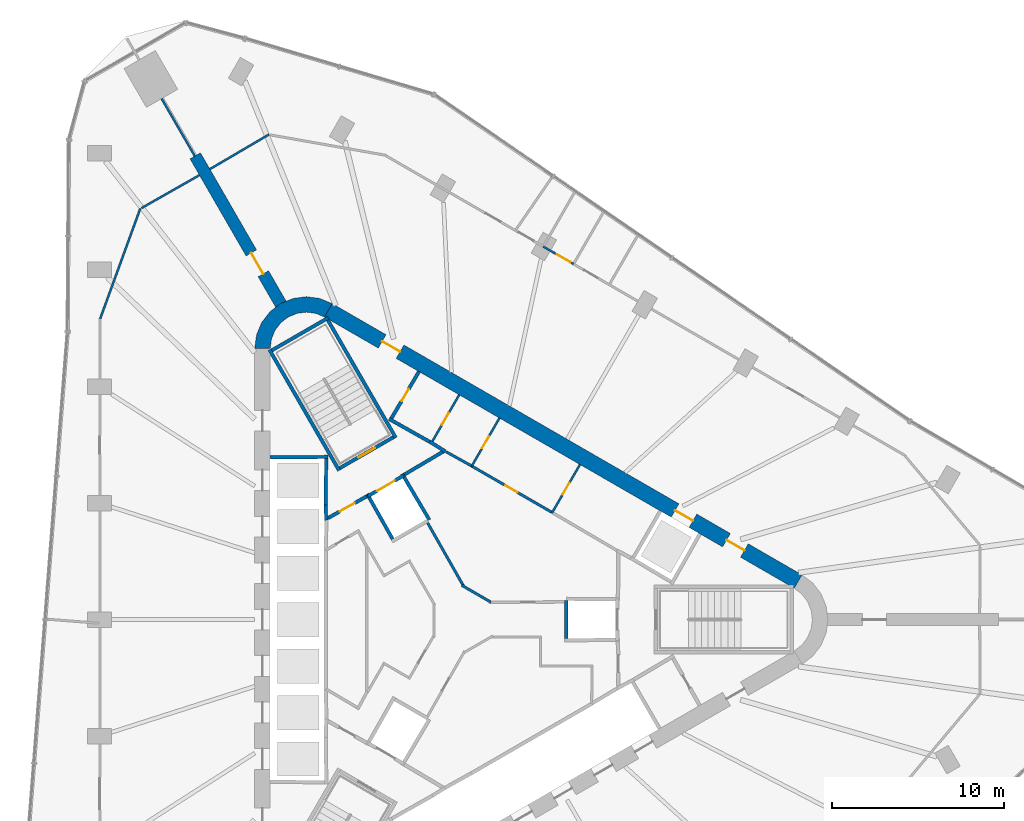
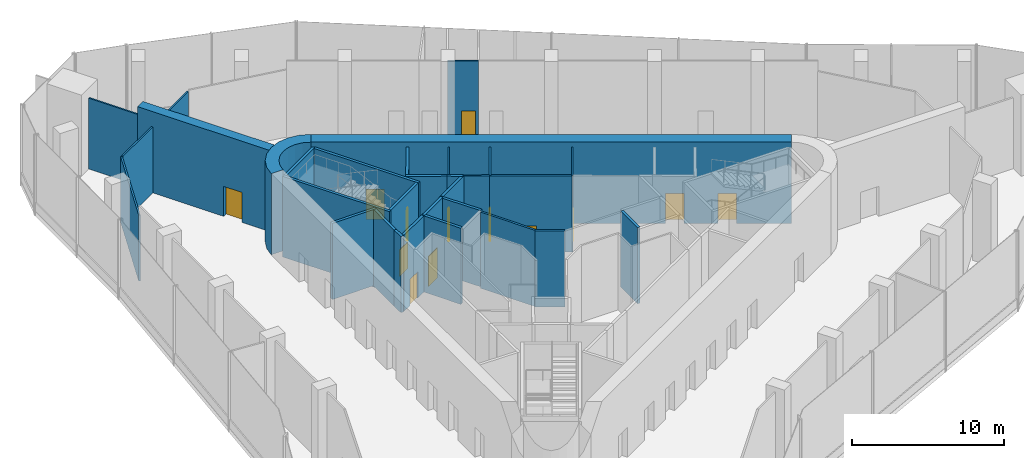
# One storey, part 10 of 15: 31 walls, 13 doors, 13 openings.
"""IFC4 building model written with IfcOpenShell, lengths in metres."""

import ifcopenshell
import ifcopenshell.guid

model = None  # the IFC model being written
_history = None  # IfcOwnerHistory: only IFC2X3 demands one
_inside = {}  # id of a spatial element -> (the spatial element, [elements in it])
_under = {}  # id of a project, library or spatial element -> (it, [spatial elements below it])
_declared = {}  # id of a project -> (the project, [libraries it declares])
_typed = {}  # id of a type object -> (the type object, [elements of that type])
_made_of = {}  # id of a material, layer set ... -> (it, [elements and type objects made of it])


def new_model(schema):
    """Start an empty IFC model of exactly this schema.

    Asked for "IFC4X3", IfcOpenShell would pick the latest addendum, in which some entities
    have other attributes; the version numbers below select the first issue.
    IFC2X3 requires an IfcOwnerHistory on every rooted entity: one is made here for all.
    """
    global model, _history
    if schema == "IFC4X3":
        model = ifcopenshell.file(schema_version=(4, 3, 0, 0))
    else:
        model = ifcopenshell.file(schema=schema)
    _inside.clear()
    _under.clear()
    _declared.clear()
    _typed.clear()
    _made_of.clear()
    _history = None
    if model.schema == "IFC2X3":
        org = make("IfcOrganization", Name="unknown")
        user = make(
            "IfcPersonAndOrganization",
            ThePerson=make("IfcPerson", FamilyName="unknown"),
            TheOrganization=org,
        )
        app = make(
            "IfcApplication",
            ApplicationDeveloper=org,
            Version="unknown",
            ApplicationFullName="unknown",
            ApplicationIdentifier="unknown",
        )
        _history = make(
            "IfcOwnerHistory",
            OwningUser=user,
            OwningApplication=app,
            ChangeAction="ADDED",
            CreationDate=0,
        )
    return model


def make(cls, **values):
    """One entity of the class cls with the attributes given. An attribute that is None is left unset."""
    return model.create_entity(
        cls, **{name: value for name, value in values.items() if value is not None}
    )


def rooted(cls, **values):
    """An entity with a GlobalId (a new one), such as an element, a storey or a relation."""
    return make(cls, GlobalId=ifcopenshell.guid.new(), OwnerHistory=_history, **values)


def si_unit(unit_type, name, prefix=None):
    """IfcSIUnit, for example si_unit("LENGTHUNIT", "METRE", prefix="MILLI")."""
    return make("IfcSIUnit", UnitType=unit_type, Prefix=prefix, Name=name)


def assignment(units):
    """IfcUnitAssignment: the units of a project."""
    return None if units is None else make("IfcUnitAssignment", Units=units)


def point(xyz):
    """IfcCartesianPoint."""
    return None if xyz is None else make("IfcCartesianPoint", Coordinates=xyz)


def direction(xyz):
    """IfcDirection."""
    return None if xyz is None else make("IfcDirection", DirectionRatios=xyz)


def frame(location, z_axis=None, x_axis=None):
    """IfcAxis2Placement3D, a coordinate frame: its origin and axes. An axis left out is left unset."""
    return make(
        "IfcAxis2Placement3D",
        Location=point(location),
        Axis=direction(z_axis),
        RefDirection=direction(x_axis),
    )


def frame_2d(location, x_axis=None):
    """IfcAxis2Placement2D, a coordinate frame in the plane: its origin and x axis."""
    return make(
        "IfcAxis2Placement2D", Location=point(location), RefDirection=direction(x_axis)
    )


def origin():
    """The frame at (0, 0, 0) with its axes left unset."""
    return frame((0.0, 0.0, 0.0))


def place(relative_to, where):
    """IfcLocalPlacement: puts the frame where relative to a parent placement (None: the world)."""
    return make(
        "IfcLocalPlacement", PlacementRelTo=relative_to, RelativePlacement=where
    )


def context(
    kind, dimensions, precision=None, world=None, true_north=None, identifier=None
):
    """IfcGeometricRepresentationContext, for example the 3D "Model" context."""
    return make(
        "IfcGeometricRepresentationContext",
        ContextIdentifier=identifier,
        ContextType=kind,
        CoordinateSpaceDimension=dimensions,
        Precision=precision,
        WorldCoordinateSystem=world,
        TrueNorth=true_north,
    )


def subcontext(parent, identifier, kind, view, scale=None):
    """IfcGeometricRepresentationSubContext, for example "Body" below "Model"."""
    return make(
        "IfcGeometricRepresentationSubContext",
        ContextIdentifier=identifier,
        ContextType=kind,
        ParentContext=parent,
        TargetScale=scale,
        TargetView=view,
    )


def project(units=None, contexts=None):
    """IfcProject with its units and contexts."""
    return rooted(
        "IfcProject",
        Name="project",
        RepresentationContexts=contexts,
        UnitsInContext=assignment(units),
    )


def spatial(cls, under=None, at=None, **own):
    """A site, building, storey or space (cls), placed at a placement, below another one or the project."""
    s = rooted(cls, ObjectPlacement=at, **own)
    if under is not None:
        _under.setdefault(under.id(), (under, []))[1].append(s)
    return s


def polyline(points):
    """IfcPolyline through the points."""
    return make("IfcPolyline", Points=[point(p) for p in points])


def profile(cls, at=None, kind="AREA", **sizes):
    """A parametric profile (cls). Its sizes go by their IFC names, for example OverallWidth=200.0."""
    return make(cls, ProfileType=kind, Position=at, **sizes)


def rectangle(**sizes):
    """IfcRectangleProfileDef."""
    return profile("IfcRectangleProfileDef", **sizes)


def outline(outer, holes=None, kind="AREA"):
    """IfcArbitraryClosedProfileDef: a profile drawn as a closed curve; with holes, ...WithVoids."""
    if holes is None:
        return make("IfcArbitraryClosedProfileDef", ProfileType=kind, OuterCurve=outer)
    return make(
        "IfcArbitraryProfileDefWithVoids",
        ProfileType=kind,
        OuterCurve=outer,
        InnerCurves=holes,
    )


def extrude(swept, where, along, depth):
    """IfcExtrudedAreaSolid: the profile swept, set in the frame where, extruded along a direction by depth."""
    return make(
        "IfcExtrudedAreaSolid",
        SweptArea=swept,
        Position=where,
        ExtrudedDirection=direction(along),
        Depth=depth,
    )


def shape(context_of_items, identifier, shape_type, items):
    """IfcShapeRepresentation: the items that make up one representation, for example the "Body"."""
    return make(
        "IfcShapeRepresentation",
        ContextOfItems=context_of_items,
        RepresentationIdentifier=identifier,
        RepresentationType=shape_type,
        Items=items,
    )


def material(Name=None, Category=None):
    """IfcMaterial."""
    return make("IfcMaterial", Name=Name, Category=Category)


def layer(
    of_material, thickness, ventilated=None, Name=None, Category=None, Priority=None
):
    """IfcMaterialLayer: one layer of a wall or slab, of a material (None: an air gap)."""
    return make(
        "IfcMaterialLayer",
        Material=of_material,
        LayerThickness=thickness,
        IsVentilated=ventilated,
        Name=Name,
        Category=Category,
        Priority=Priority,
    )


def layer_set(layers, Name=None):
    """IfcMaterialLayerSet."""
    return make("IfcMaterialLayerSet", MaterialLayers=layers, LayerSetName=Name)


def made_of(thing, what):
    """Note that an element or type object is made of a material, layer set ...; save() writes the relation."""
    if what is not None:
        _made_of.setdefault(what.id(), (what, []))[1].append(thing)
    return thing


def type_object(cls, material=None, **own):
    """A type object (cls), such as IfcWallType, which elements share."""
    return made_of(rooted(cls, **own), material)


def element(
    cls,
    number,
    at=None,
    inside=None,
    cuts=None,
    type_object=None,
    material=None,
    context=None,
    identifier="Body",
    shape_type=None,
    held_by="IfcProductDefinitionShape",
    body=None,
    shapes=None,
    **own,
):
    """One element of the class cls, such as IfcWall. Its Tag is "e" and its number.

    at: its placement. inside: the storey or other place that contains it. cuts: it is an
    opening in that element (IfcRelVoidsElement). A single representation is given by context,
    identifier, shape_type and body (its items); several are given by shapes. held_by: the class
    of the entity that holds the representations. save() writes the other relations.
    """
    e = rooted(cls, Tag="e%d" % number, ObjectPlacement=at, **own)
    if body is not None:
        shapes = [shape(context, identifier, shape_type, body)]
    if shapes is not None:
        e.Representation = make(held_by, Representations=shapes)
    if inside is not None:
        _inside.setdefault(inside.id(), (inside, []))[1].append(e)
    if cuts is not None:
        rooted(
            "IfcRelVoidsElement", RelatingBuildingElement=cuts, RelatedOpeningElement=e
        )
    if type_object is not None:
        _typed.setdefault(type_object.id(), (type_object, []))[1].append(e)
    return made_of(e, material)


def fill(opening, filler):
    """IfcRelFillsElement: the door or window that sits in an opening."""
    return rooted(
        "IfcRelFillsElement",
        RelatingOpeningElement=opening,
        RelatedBuildingElement=filler,
    )


def aggregate(whole, parts):
    """IfcRelAggregates: a whole, such as a stair, and the parts it consists of."""
    return rooted("IfcRelAggregates", RelatingObject=whole, RelatedObjects=parts)


def save(model, path):
    """Write the relations noted so far, then the file.

    IfcRelAggregates (storeys below a building ...), IfcRelContainedInSpatialStructure (elements
    in a storey), IfcRelDefinesByType, IfcRelAssociatesMaterial and IfcRelDeclares: one each for
    every whole, place, type object, material and project.
    """
    for whole, parts in _under.values():
        aggregate(whole, parts)
    for where, things in _inside.values():
        rooted(
            "IfcRelContainedInSpatialStructure",
            RelatedElements=things,
            RelatingStructure=where,
        )
    for kind, things in _typed.values():
        rooted("IfcRelDefinesByType", RelatedObjects=things, RelatingType=kind)
    for what, things in _made_of.values():
        rooted("IfcRelAssociatesMaterial", RelatedObjects=things, RelatingMaterial=what)
    for by, libraries in _declared.values():
        rooted("IfcRelDeclares", RelatingContext=by, RelatedDefinitions=libraries)
    model.write(path)


model = new_model("IFC4")

# Units and contexts
model_context = context("Model", 3, precision=1e-05, world=origin(), true_north=direction((0.0, 1.0)))
body_context = subcontext(model_context, "Body", "Model", "MODEL_VIEW")
ifc_project = project(units=[si_unit("LENGTHUNIT", "METRE"), si_unit("AREAUNIT", "SQUARE_METRE"), si_unit("VOLUMEUNIT", "CUBIC_METRE"), si_unit("PLANEANGLEUNIT", "RADIAN"), si_unit("MASSUNIT", "GRAM", prefix="KILO")], contexts=[model_context])

# Site, building, storey
site_placement = place(None, origin())
site = spatial("IfcSite", under=ifc_project, at=site_placement, CompositionType="ELEMENT")
building_placement = place(site_placement, origin())
building = spatial("IfcBuilding", under=site, at=building_placement, Name="Tanit Gate Tower", CompositionType="ELEMENT")
storey_placement = place(building_placement, frame((0.0, 0.0, 277.199951171875)))
storey = spatial("IfcBuildingStorey", under=building, at=storey_placement, Name="L63", CompositionType="ELEMENT", Elevation=277.199951171875)

# Wall, opening, door
ifc_material_1 = material(Name="Concrete C50/60", Category="concrete")
ifc_layer_1 = layer(ifc_material_1, 0.699951171875)
ifc_layer_set_1 = layer_set([ifc_layer_1], Name="BUTTRESS FIN 700 C50/60")
wall_type_1 = type_object("IfcWallType", Name="BUTTRESS FIN 700 C50/60", PredefinedType="SHEAR", material=ifc_layer_set_1)
wall_1_placement = place(storey_placement, frame((-10.574951171875, 18.31640625, 0.0), z_axis=(0.0, 0.0, 1.0), x_axis=(-0.500007350791, 0.866021159762, 0.0)))
wall_1 = element("IfcWall", 1, at=wall_1_placement, inside=storey, type_object=wall_type_1, Name="BUTTRESS FIN", PredefinedType="SHEAR", context=body_context, shape_type="SweptSolid", body=[
    extrude(rectangle(XDim=9.964599609375, YDim=0.699951171875, at=frame_2d((4.982421875, 0.0))), origin(), (0.0, 0.0, 1.0), 6.5),
])
opening_1_placement = place(wall_1_placement, frame((2.050048828125, 0.0, 0.0)))
opening_1 = element("IfcOpeningElement", 2, at=opening_1_placement, cuts=wall_1, Name="Opening P14-63-F-NW-1", PredefinedType="OPENING", context=body_context, shape_type="SweptSolid", body=[
    extrude(rectangle(XDim=1.39990234375, YDim=2.39990234375, at=frame_2d((0.699951171875, 1.199951171875))), frame((0.0, 0.35986328125, 0.0), z_axis=(0.0, -1.0, 0.0), x_axis=(1.0, 0.0, 0.0)), (0.0, 0.0, 1.0), 0.719970703125),
])
ifc_material_2 = material(Name="Timber door leaf", Category="wood")
door_type_1 = type_object("IfcDoorType", Name="INT-DOOR-FIN-PAIR-1400", OperationType="NOTDEFINED", PredefinedType="NOTDEFINED", material=ifc_material_2)
door_1_placement = place(opening_1_placement, origin())
door_1 = element("IfcDoor", 3, at=door_1_placement, inside=storey, type_object=door_type_1, Name="Door P14-63-F-NW-1", OperationType="DOUBLE_DOOR_SINGLE_SWING", OverallHeight=2.39990234375, OverallWidth=1.39990234375, PredefinedType="NOTDEFINED", context=body_context, shape_type="SweptSolid", body=[
    extrude(rectangle(XDim=1.39990234375, YDim=2.39990234375, at=frame_2d((0.699951171875, 1.199951171875))), frame((0.0, 0.02490234375, 0.0), z_axis=(0.0, -1.0, 0.0), x_axis=(1.0, 0.0, 0.0)), (0.0, 0.0, 1.0), 0.050048828125),
])
fill(opening_1, door_1)

# Wall, openings, doors
ifc_material_3 = material(Name="Concrete C50/60", Category="concrete")
ifc_layer_2 = layer(ifc_material_3, 0.89990234375)
ifc_layer_set_2 = layer_set([ifc_layer_2], Name="CORE WALL 900 C50/60")
wall_type_2 = type_object("IfcWallType", Name="CORE WALL 900 C50/60", PredefinedType="SHEAR", material=ifc_layer_set_2)
wall_2_placement = place(storey_placement, frame((19.47509765625, 2.20849609375, 0.0), z_axis=(0.0, 0.0, 1.0), x_axis=(-0.866028369851, 0.499994862586, 0.0)))
wall_2 = element("IfcWall", 4, at=wall_2_placement, inside=storey, type_object=wall_type_2, Name="CORE WALL", PredefinedType="SHEAR", context=body_context, shape_type="SweptSolid", body=[
    extrude(rectangle(XDim=31.523193359375, YDim=0.89990234375, at=frame_2d((15.76171875, 0.0))), origin(), (0.0, 0.0, 1.0), 6.5),
])
opening_2_placement = place(wall_2_placement, frame((7.0615234375, 0.0, 0.0)))
opening_2 = element("IfcOpeningElement", 5, at=opening_2_placement, cuts=wall_2, Name="Opening LDHL8-63", PredefinedType="OPENING", context=body_context, shape_type="SweptSolid", body=[
    extrude(rectangle(XDim=1.199951171875, YDim=2.39990234375, at=frame_2d((0.60009765625, 1.199951171875))), frame((0.0, 0.4599609375, 0.0), z_axis=(0.0, -1.0, 0.0), x_axis=(1.0, 0.0, 0.0)), (0.0, 0.0, 1.0), 0.919921875),
])
opening_3_placement = place(wall_2_placement, frame((3.611572265625, 0.0, 0.0)))
opening_3 = element("IfcOpeningElement", 6, at=opening_3_placement, cuts=wall_2, Name="Opening F12-63-FL1", PredefinedType="OPENING", context=body_context, shape_type="SweptSolid", body=[
    extrude(rectangle(XDim=1.199951171875, YDim=2.39990234375, at=frame_2d((0.60009765625, 1.199951171875))), frame((0.0, 0.4599609375, 0.0), z_axis=(0.0, -1.0, 0.0), x_axis=(1.0, 0.0, 0.0)), (0.0, 0.0, 1.0), 0.919921875),
])
opening_4_placement = place(wall_2_placement, frame((26.711669921875, 0.0, 0.0)))
opening_4 = element("IfcOpeningElement", 7, at=opening_4_placement, cuts=wall_2, Name="Opening F12-63-S2", PredefinedType="OPENING", context=body_context, shape_type="SweptSolid", body=[
    extrude(rectangle(XDim=1.199951171875, YDim=2.39990234375, at=frame_2d((0.60009765625, 1.199951171875))), frame((0.0, 0.4599609375, 0.0), z_axis=(0.0, -1.0, 0.0), x_axis=(1.0, 0.0, 0.0)), (0.0, 0.0, 1.0), 0.919921875),
])
ifc_material_4 = material(Name="Fire-rated steel door leaf", Category="steel")
door_type_2 = type_object("IfcDoorType", Name="INT-DOOR-FIRE-LOBBY-1200", OperationType="NOTDEFINED", PredefinedType="USERDEFINED", material=ifc_material_4)
door_2_placement = place(opening_3_placement, origin())
door_2 = element("IfcDoor", 8, at=door_2_placement, inside=storey, type_object=door_type_2, Name="Door F12-63-FL1", ObjectType="FIRE DOOR", OperationType="SINGLE_SWING_LEFT", OverallHeight=2.39990234375, OverallWidth=1.199951171875, PredefinedType="USERDEFINED", context=body_context, shape_type="SweptSolid", body=[
    extrude(rectangle(XDim=1.199951171875, YDim=2.39990234375, at=frame_2d((0.60009765625, 1.199951171875))), frame((0.0, 0.02490234375, 0.0), z_axis=(0.0, -1.0, 0.0), x_axis=(1.0, 0.0, 0.0)), (0.0, 0.0, 1.0), 0.050048828125),
])
fill(opening_3, door_2)
door_3_placement = place(opening_4_placement, origin())
door_3 = element("IfcDoor", 9, at=door_3_placement, inside=storey, type_object=door_type_2, Name="Door F12-63-S2", ObjectType="FIRE DOOR", OperationType="SINGLE_SWING_RIGHT", OverallHeight=2.39990234375, OverallWidth=1.199951171875, PredefinedType="USERDEFINED", context=body_context, shape_type="SweptSolid", body=[
    extrude(rectangle(XDim=1.199951171875, YDim=2.39990234375, at=frame_2d((0.60009765625, 1.199951171875))), frame((0.0, 0.02490234375, 0.0), z_axis=(0.0, -1.0, 0.0), x_axis=(1.0, 0.0, 0.0)), (0.0, 0.0, 1.0), 0.050048828125),
])
fill(opening_4, door_3)
ifc_material_5 = material(Name="Stainless steel sliding door leaf", Category="steel")
door_type_3 = type_object("IfcDoorType", Name="INT-DOOR-LANDING-1200", OperationType="NOTDEFINED", PredefinedType="USERDEFINED", material=ifc_material_5)
door_4_placement = place(opening_2_placement, origin())
door_4 = element("IfcDoor", 10, at=door_4_placement, inside=storey, type_object=door_type_3, Name="Door LDHL8-63", ObjectType="LANDING DOOR", OperationType="SLIDING_TO_LEFT", OverallHeight=2.39990234375, OverallWidth=1.199951171875, PredefinedType="USERDEFINED", context=body_context, shape_type="SweptSolid", body=[
    extrude(rectangle(XDim=1.199951171875, YDim=2.39990234375, at=frame_2d((0.60009765625, 1.199951171875))), frame((0.0, 0.02490234375, 0.0), z_axis=(0.0, -1.0, 0.0), x_axis=(1.0, 0.0, 0.0)), (0.0, 0.0, 1.0), 0.050048828125),
])
fill(opening_2, door_4)

# Walls
wall_3_placement = place(storey_placement, origin())
element("IfcWall", 11, at=wall_3_placement, inside=storey, type_object=wall_type_2, Name="CORE WALL CORNER", PredefinedType="SHEAR", context=body_context, shape_type="SweptSolid", body=[
    extrude(outline(polyline([(-7.60009765625, 18.359619140625), (-8.323486328125, 18.659423828125), (-9.10009765625, 18.76171875), (-9.87646484375, 18.659423828125), (-10.60009765625, 18.359619140625), (-11.22119140625, 17.883056640625), (-11.697998046875, 17.26171875), (-11.997802734375, 16.5380859375), (-12.10009765625, 15.76171875), (-11.199951171875, 15.76171875), (-11.12841796875, 16.30517578125), (-10.918701171875, 16.811767578125), (-10.5849609375, 17.24658203125), (-10.14990234375, 17.580322265625), (-9.6435546875, 17.7900390625), (-9.10009765625, 17.86181640625), (-8.556396484375, 17.7900390625), (-8.050048828125, 17.580322265625), (-7.60009765625, 18.359619140625)])), origin(), (0.0, 0.0, 1.0), 6.5),
])
ifc_material_6 = material(Name="Fire-rated gypsum board partition")
ifc_layer_3 = layer(ifc_material_6, 0.199951171875)
ifc_layer_set_3 = layer_set([ifc_layer_3], Name="INT-WALL-COMPARTMENT")
wall_type_3 = type_object("IfcWallType", Name="INT-WALL-COMPARTMENT", PredefinedType="PARTITIONING", material=ifc_layer_set_3)
wall_4_placement = place(storey_placement, frame((-1.940673828125, 10.338623046875, 0.0), z_axis=(0.0, 0.0, 1.0), x_axis=(0.850216889117, -0.526432561171, 0.0)))
element("IfcWall", 12, at=wall_4_placement, inside=storey, type_object=wall_type_3, Name="Wall Compartment W055", PredefinedType="PARTITIONING", context=body_context, shape_type="SweptSolid", body=[
    extrude(rectangle(XDim=1.078369140625, YDim=0.199951171875, at=frame_2d((0.5390625, 0.0))), origin(), (0.0, 0.0, 1.0), 6.10009765625),
])
wall_5_placement = place(storey_placement, frame((-4.296142578125, 11.658935546875, 0.0), z_axis=(0.0, 0.0, 1.0), x_axis=(0.871534483978, -0.490334215854, 0.0)))
element("IfcWall", 13, at=wall_5_placement, inside=storey, type_object=wall_type_3, Name="Wall Compartment W057", PredefinedType="PARTITIONING", context=body_context, shape_type="SweptSolid", body=[
    extrude(rectangle(XDim=2.7001953125, YDim=0.199951171875, at=frame_2d((1.35009765625, 0.0))), origin(), (0.0, 0.0, 1.0), 6.10009765625),
])

# Wall, opening, door
wall_6_placement = place(storey_placement, frame((-2.557861328125, 14.409423828125, 0.0), z_axis=(0.0, 0.0, 1.0), x_axis=(-0.508018930956, -0.861345903683, 0.0)))
wall_6 = element("IfcWall", 14, at=wall_6_placement, inside=storey, type_object=wall_type_3, Name="Wall Compartment W058", PredefinedType="PARTITIONING", context=body_context, shape_type="SweptSolid", body=[
    extrude(rectangle(XDim=3.150146484375, YDim=0.199951171875, at=frame_2d((1.5751953125, 0.0))), origin(), (0.0, 0.0, 1.0), 6.10009765625),
])
opening_5_placement = place(wall_6_placement, frame((1.175048828125, 0.0, 0.0)))
opening_5 = element("IfcOpeningElement", 15, at=opening_5_placement, cuts=wall_6, Name="Opening R08-63-16", PredefinedType="OPENING", context=body_context, shape_type="SweptSolid", body=[
    extrude(rectangle(XDim=0.800048828125, YDim=2.10009765625, at=frame_2d((0.39990234375, 1.050048828125))), frame((0.0, 0.10986328125, 0.0), z_axis=(0.0, -1.0, 0.0), x_axis=(1.0, 0.0, 0.0)), (0.0, 0.0, 1.0), 0.219970703125),
])
ifc_material_7 = material(Name="Timber door leaf", Category="wood")
door_type_4 = type_object("IfcDoorType", Name="INT-DOOR-RISER-800", OperationType="NOTDEFINED", PredefinedType="USERDEFINED", material=ifc_material_7)
door_5_placement = place(opening_5_placement, origin())
door_5 = element("IfcDoor", 16, at=door_5_placement, inside=storey, type_object=door_type_4, Name="Door R08-63-16", ObjectType="FIRE DOOR", OperationType="SINGLE_SWING_LEFT", OverallHeight=2.10009765625, OverallWidth=0.800048828125, PredefinedType="USERDEFINED", context=body_context, shape_type="SweptSolid", body=[
    extrude(rectangle(XDim=0.800048828125, YDim=2.10009765625, at=frame_2d((0.39990234375, 1.050048828125))), frame((0.0, 0.02490234375, 0.0), z_axis=(0.0, -1.0, 0.0), x_axis=(1.0, 0.0, 0.0)), (0.0, 0.0, 1.0), 0.050048828125),
])
fill(opening_5, door_5)

# Wall
wall_7_placement = place(storey_placement, frame((-1.0556640625, 9.81787109375, 0.0), z_axis=(0.0, 0.0, 1.0), x_axis=(-0.860599924646, -0.509281621207, 0.0)))
element("IfcWall", 17, at=wall_7_placement, inside=storey, type_object=wall_type_3, Name="Wall Compartment W063", PredefinedType="PARTITIONING", context=body_context, shape_type="SweptSolid", body=[
    extrude(rectangle(XDim=2.724853515625, YDim=0.199951171875, at=frame_2d((1.3623046875, 0.0))), origin(), (0.0, 0.0, 1.0), 6.10009765625),
])

# Wall, opening, door
wall_8_placement = place(storey_placement, frame((-5.600341796875, 7.16015625, 0.0), z_axis=(0.0, 0.0, 1.0), x_axis=(-0.871363259478, -0.490638431059, 0.0)))
wall_8 = element("IfcWall", 18, at=wall_8_placement, inside=storey, type_object=wall_type_3, Name="Wall Compartment W064", PredefinedType="PARTITIONING", context=body_context, shape_type="SweptSolid", body=[
    extrude(rectangle(XDim=2.5810546875, YDim=0.199951171875, at=frame_2d((1.29052734375, 0.0))), origin(), (0.0, 0.0, 1.0), 6.10009765625),
])
opening_6_placement = place(wall_8_placement, frame((0.79052734375, 0.0, 0.0)))
opening_6 = element("IfcOpeningElement", 19, at=opening_6_placement, cuts=wall_8, Name="Opening F10-63-05", PredefinedType="OPENING", context=body_context, shape_type="SweptSolid", body=[
    extrude(rectangle(XDim=1.0, YDim=2.10009765625, at=frame_2d((0.5, 1.050048828125))), frame((0.0, 0.10986328125, 0.0), z_axis=(0.0, -1.0, 0.0), x_axis=(1.0, 0.0, 0.0)), (0.0, 0.0, 1.0), 0.219970703125),
])
ifc_material_8 = material(Name="Fire-rated steel door leaf", Category="steel")
door_type_5 = type_object("IfcDoorType", Name="INT-DOOR-FIRE-1000", OperationType="NOTDEFINED", PredefinedType="USERDEFINED", material=ifc_material_8)
door_6_placement = place(opening_6_placement, origin())
door_6 = element("IfcDoor", 20, at=door_6_placement, inside=storey, type_object=door_type_5, Name="Door F10-63-05", ObjectType="FIRE DOOR", OperationType="SINGLE_SWING_LEFT", OverallHeight=2.10009765625, OverallWidth=1.0, PredefinedType="USERDEFINED", context=body_context, shape_type="SweptSolid", body=[
    extrude(rectangle(XDim=1.0, YDim=2.10009765625, at=frame_2d((0.5, 1.050048828125))), frame((0.0, 0.02490234375, 0.0), z_axis=(0.0, -1.0, 0.0), x_axis=(1.0, 0.0, 0.0)), (0.0, 0.0, 1.0), 0.050048828125),
])
fill(opening_6, door_6)

ifc_material_9 = material(Name="Gypsum board partition")
ifc_layer_4 = layer(ifc_material_9, 0.1201171875)
ifc_layer_set_4 = layer_set([ifc_layer_4], Name="INT-WALL-PARTITION")
wall_type_4 = type_object("IfcWallType", Name="INT-WALL-PARTITION", PredefinedType="PARTITIONING", material=ifc_layer_set_4)
wall_9_placement = place(storey_placement, frame((6.795166015625, 9.009521484375, 0.0), z_axis=(0.0, 0.0, 1.0), x_axis=(-0.499984717929, -0.866034226713, 0.0)))
wall_9 = element("IfcWall", 21, at=wall_9_placement, inside=storey, type_object=wall_type_4, Name="Wall Partition W049", PredefinedType="PARTITIONING", context=body_context, shape_type="SweptSolid", body=[
    extrude(rectangle(XDim=3.25, YDim=0.1201171875, at=frame_2d((1.625, 0.0))), origin(), (0.0, 0.0, 1.0), 6.10009765625),
])
opening_7_placement = place(wall_9_placement, frame((1.22509765625, 0.0, 0.0)))
opening_7 = element("IfcOpeningElement", 22, at=opening_7_placement, cuts=wall_9, Name="Opening R08-63-14", PredefinedType="OPENING", context=body_context, shape_type="SweptSolid", body=[
    extrude(rectangle(XDim=0.800048828125, YDim=2.10009765625, at=frame_2d((0.39990234375, 1.050048828125))), frame((0.0, 0.070068359375, 0.0), z_axis=(0.0, -1.0, 0.0), x_axis=(1.0, 0.0, 0.0)), (0.0, 0.0, 1.0), 0.14013671875),
])
door_7_placement = place(opening_7_placement, origin())
door_7 = element("IfcDoor", 23, at=door_7_placement, inside=storey, type_object=door_type_4, Name="Door R08-63-14", ObjectType="FIRE DOOR", OperationType="SINGLE_SWING_RIGHT", OverallHeight=2.10009765625, OverallWidth=0.800048828125, PredefinedType="USERDEFINED", context=body_context, shape_type="SweptSolid", body=[
    extrude(rectangle(XDim=0.800048828125, YDim=2.10009765625, at=frame_2d((0.39990234375, 1.050048828125))), frame((0.0, 0.02490234375, 0.0), z_axis=(0.0, -1.0, 0.0), x_axis=(1.0, 0.0, 0.0)), (0.0, 0.0, 1.0), 0.050048828125),
])
fill(opening_7, door_7)

wall_10_placement = place(storey_placement, frame((2.11865234375, 11.70947265625, 0.0), z_axis=(0.0, 0.0, 1.0), x_axis=(-0.500017246033, -0.866015446554, 0.0)))
wall_10 = element("IfcWall", 24, at=wall_10_placement, inside=storey, type_object=wall_type_4, Name="Wall Partition W052", PredefinedType="PARTITIONING", context=body_context, shape_type="SweptSolid", body=[
    extrude(rectangle(XDim=3.25, YDim=0.1201171875, at=frame_2d((1.625, 0.0))), origin(), (0.0, 0.0, 1.0), 6.10009765625),
])
opening_8_placement = place(wall_10_placement, frame((1.22509765625, 0.0, 0.0)))
opening_8 = element("IfcOpeningElement", 25, at=opening_8_placement, cuts=wall_10, Name="Opening R08-63-15", PredefinedType="OPENING", context=body_context, shape_type="SweptSolid", body=[
    extrude(rectangle(XDim=0.800048828125, YDim=2.10009765625, at=frame_2d((0.39990234375, 1.050048828125))), frame((0.0, 0.070068359375, 0.0), z_axis=(0.0, -1.0, 0.0), x_axis=(1.0, 0.0, 0.0)), (0.0, 0.0, 1.0), 0.14013671875),
])
door_8_placement = place(opening_8_placement, origin())
door_8 = element("IfcDoor", 26, at=door_8_placement, inside=storey, type_object=door_type_4, Name="Door R08-63-15", ObjectType="FIRE DOOR", OperationType="SINGLE_SWING_LEFT", OverallHeight=2.10009765625, OverallWidth=0.800048828125, PredefinedType="USERDEFINED", context=body_context, shape_type="SweptSolid", body=[
    extrude(rectangle(XDim=0.800048828125, YDim=2.10009765625, at=frame_2d((0.39990234375, 1.050048828125))), frame((0.0, 0.02490234375, 0.0), z_axis=(0.0, -1.0, 0.0), x_axis=(1.0, 0.0, 0.0)), (0.0, 0.0, 1.0), 0.050048828125),
])
fill(opening_8, door_8)

wall_11_placement = place(storey_placement, frame((-0.2197265625, 13.0595703125, 0.0), z_axis=(0.0, 0.0, 1.0), x_axis=(-0.499984717929, -0.866034226713, 0.0)))
wall_11 = element("IfcWall", 27, at=wall_11_placement, inside=storey, type_object=wall_type_4, Name="Wall Partition W054", PredefinedType="PARTITIONING", context=body_context, shape_type="SweptSolid", body=[
    extrude(rectangle(XDim=3.25, YDim=0.1201171875, at=frame_2d((1.625, 0.0))), origin(), (0.0, 0.0, 1.0), 6.10009765625),
])
opening_9_placement = place(wall_11_placement, frame((1.22509765625, 0.0, 0.0)))
opening_9 = element("IfcOpeningElement", 28, at=opening_9_placement, cuts=wall_11, Name="Opening R08-63-28", PredefinedType="OPENING", context=body_context, shape_type="SweptSolid", body=[
    extrude(rectangle(XDim=0.800048828125, YDim=2.10009765625, at=frame_2d((0.39990234375, 1.050048828125))), frame((0.0, 0.070068359375, 0.0), z_axis=(0.0, -1.0, 0.0), x_axis=(1.0, 0.0, 0.0)), (0.0, 0.0, 1.0), 0.14013671875),
])
door_9_placement = place(opening_9_placement, origin())
door_9 = element("IfcDoor", 29, at=door_9_placement, inside=storey, type_object=door_type_4, Name="Door R08-63-28", ObjectType="FIRE DOOR", OperationType="SINGLE_SWING_RIGHT", OverallHeight=2.10009765625, OverallWidth=0.800048828125, PredefinedType="USERDEFINED", context=body_context, shape_type="SweptSolid", body=[
    extrude(rectangle(XDim=0.800048828125, YDim=2.10009765625, at=frame_2d((0.39990234375, 1.050048828125))), frame((0.0, 0.02490234375, 0.0), z_axis=(0.0, -1.0, 0.0), x_axis=(1.0, 0.0, 0.0)), (0.0, 0.0, 1.0), 0.050048828125),
])
fill(opening_9, door_9)

# Walls
wall_12_placement = place(storey_placement, frame((-18.74951171875, 23.8857421875, 0.0), z_axis=(0.0, 0.0, 1.0), x_axis=(-0.342042310023, -0.939684552472, 0.0)))
element("IfcWall", 30, at=wall_12_placement, inside=storey, type_object=wall_type_4, Name="Wall Partition W089", PredefinedType="PARTITIONING", context=body_context, shape_type="SweptSolid", body=[
    extrude(rectangle(XDim=6.812255859375, YDim=0.1201171875, at=frame_2d((3.40625, 0.0))), origin(), (0.0, 0.0, 1.0), 5.280029296875),
])
wall_13_placement = place(storey_placement, frame((-15.3125, 25.822021484375, 0.0), z_axis=(0.0, 0.0, 1.0), x_axis=(-0.869455941421, -0.494010491718, 0.0)))
element("IfcWall", 31, at=wall_13_placement, inside=storey, type_object=wall_type_4, Name="Wall Partition W090", PredefinedType="PARTITIONING", context=body_context, shape_type="SweptSolid", body=[
    extrude(rectangle(XDim=3.869140625, YDim=0.1201171875, at=frame_2d((1.9345703125, 0.0))), origin(), (0.0, 0.0, 1.0), 5.280029296875),
])
wall_14_placement = place(storey_placement, frame((-17.510986328125, 30.27001953125, 0.0), z_axis=(0.0, 0.0, 1.0), x_axis=(0.499980071345, -0.866036909293, 0.0)))
element("IfcWall", 32, at=wall_14_placement, inside=storey, type_object=wall_type_4, Name="Wall Partition W096", PredefinedType="PARTITIONING", context=body_context, shape_type="SweptSolid", body=[
    extrude(rectangle(XDim=3.855712890625, YDim=0.1201171875, at=frame_2d((1.927734375, 0.0))), origin(), (0.0, 0.0, 1.0), 5.670166015625),
])

# Wall, opening, door
wall_15_placement = place(storey_placement, frame((6.42041015625, 20.657470703125, 0.0), z_axis=(0.0, 0.0, 1.0), x_axis=(-0.866057323903, 0.499944708657, 0.0)))
wall_15 = element("IfcWall", 33, at=wall_15_placement, inside=storey, type_object=wall_type_4, Name="Wall Partition W106", PredefinedType="PARTITIONING", context=body_context, shape_type="SweptSolid", body=[
    extrude(rectangle(XDim=2.028564453125, YDim=0.1201171875, at=frame_2d((1.01416015625, 0.0))), origin(), (0.0, 0.0, 1.0), 6.10009765625),
])
opening_10_placement = place(wall_15_placement, frame((0.199951171875, 0.0, 0.0)))
opening_10 = element("IfcOpeningElement", 34, at=opening_10_placement, cuts=wall_15, Name="Opening D09-63-26", PredefinedType="OPENING", context=body_context, shape_type="SweptSolid", body=[
    extrude(rectangle(XDim=0.89990234375, YDim=2.10009765625, at=frame_2d((0.449951171875, 1.050048828125))), frame((0.0, 0.070068359375, 0.0), z_axis=(0.0, -1.0, 0.0), x_axis=(1.0, 0.0, 0.0)), (0.0, 0.0, 1.0), 0.14013671875),
])
ifc_material_10 = material(Name="Timber door leaf", Category="wood")
door_type_6 = type_object("IfcDoorType", Name="INT-DOOR-SINGLE-900", OperationType="NOTDEFINED", PredefinedType="NOTDEFINED", material=ifc_material_10)
door_10_placement = place(opening_10_placement, origin())
door_10 = element("IfcDoor", 35, at=door_10_placement, inside=storey, type_object=door_type_6, Name="Door D09-63-26", OperationType="SINGLE_SWING_LEFT", OverallHeight=2.10009765625, OverallWidth=0.89990234375, PredefinedType="NOTDEFINED", context=body_context, shape_type="SweptSolid", body=[
    extrude(rectangle(XDim=0.89990234375, YDim=2.10009765625, at=frame_2d((0.449951171875, 1.050048828125))), frame((0.0, 0.02490234375, 0.0), z_axis=(0.0, -1.0, 0.0), x_axis=(1.0, 0.0, 0.0)), (0.0, 0.0, 1.0), 0.050048828125),
])
fill(opening_10, door_10)

# Wall
wall_16_placement = place(storey_placement, frame((-11.27001953125, 28.187744140625, 0.0), z_axis=(0.0, 0.0, 1.0), x_axis=(-0.862533821039, -0.505999414588, 0.0)))
element("IfcWall", 36, at=wall_16_placement, inside=storey, type_object=wall_type_4, Name="Wall Partition W102", PredefinedType="PARTITIONING", context=body_context, shape_type="SweptSolid", body=[
    extrude(rectangle(XDim=3.98388671875, YDim=0.1201171875, at=frame_2d((1.991943359375, 0.0))), origin(), (0.0, 0.0, 1.0), 5.280029296875),
])

# Wall, opening, door
ifc_material_11 = material(Name="Fire-rated gypsum board partition")
ifc_layer_5 = layer(ifc_material_11, 0.14990234375)
ifc_layer_set_5 = layer_set([ifc_layer_5], Name="INT-WALL-RISER")
wall_type_5 = type_object("IfcWallType", Name="INT-WALL-RISER", PredefinedType="PLUMBINGWALL", material=ifc_layer_set_5)
wall_17_placement = place(storey_placement, frame((5.1591796875, 6.23583984375, 0.0), z_axis=(0.0, 0.0, 1.0), x_axis=(-0.866028230842, 0.499995103361, 0.0)))
wall_17 = element("IfcWall", 37, at=wall_17_placement, inside=storey, type_object=wall_type_5, Name="Wall Riser W053", PredefinedType="PLUMBINGWALL", context=body_context, shape_type="SweptSolid", body=[
    extrude(rectangle(XDim=5.39990234375, YDim=0.14990234375, at=frame_2d((2.699951171875, 0.0))), origin(), (0.0, 0.0, 1.0), 6.10009765625),
])
opening_11_placement = place(wall_17_placement, frame((2.300048828125, 0.0, 0.0)))
opening_11 = element("IfcOpeningElement", 38, at=opening_11_placement, cuts=wall_17, Name="Opening R08-63-18", PredefinedType="OPENING", context=body_context, shape_type="SweptSolid", body=[
    extrude(rectangle(XDim=0.800048828125, YDim=2.10009765625, at=frame_2d((0.39990234375, 1.050048828125))), frame((0.0, 0.0849609375, 0.0), z_axis=(0.0, -1.0, 0.0), x_axis=(1.0, 0.0, 0.0)), (0.0, 0.0, 1.0), 0.169921875),
])
door_11_placement = place(opening_11_placement, origin())
door_11 = element("IfcDoor", 39, at=door_11_placement, inside=storey, type_object=door_type_4, Name="Door R08-63-18", ObjectType="FIRE DOOR", OperationType="SINGLE_SWING_RIGHT", OverallHeight=2.10009765625, OverallWidth=0.800048828125, PredefinedType="USERDEFINED", context=body_context, shape_type="SweptSolid", body=[
    extrude(rectangle(XDim=0.800048828125, YDim=2.10009765625, at=frame_2d((0.39990234375, 1.050048828125))), frame((0.0, 0.02490234375, 0.0), z_axis=(0.0, -1.0, 0.0), x_axis=(1.0, 0.0, 0.0)), (0.0, 0.0, 1.0), 0.050048828125),
])
fill(opening_11, door_11)

# Walls
wall_18_placement = place(storey_placement, frame((0.482666015625, 8.935791015625, 0.0), z_axis=(0.0, 0.0, 1.0), x_axis=(-0.874315691004, 0.485357674776, 0.0)))
element("IfcWall", 40, at=wall_18_placement, inside=storey, type_object=wall_type_5, Name="Wall Riser W056", PredefinedType="PLUMBINGWALL", context=body_context, shape_type="SweptSolid", body=[
    extrude(rectangle(XDim=1.67138671875, YDim=0.14990234375, at=frame_2d((0.835693359375, 0.0))), origin(), (0.0, 0.0, 1.0), 6.10009765625),
])
wall_19_placement = place(storey_placement, frame((-0.0673828125, 1.989013671875, 0.0), z_axis=(0.0, 0.0, 1.0), x_axis=(0.865981695925, -0.500075696594, 0.0)))
element("IfcWall", 41, at=wall_19_placement, inside=storey, type_object=wall_type_5, Name="Wall Riser W068", PredefinedType="PLUMBINGWALL", context=body_context, shape_type="SweptSolid", body=[
    extrude(rectangle(XDim=1.954345703125, YDim=0.14990234375, at=frame_2d((0.97705078125, 0.0))), origin(), (0.0, 0.0, 1.0), 6.10009765625),
])
wall_20_placement = place(storey_placement, frame((-2.05908203125, 5.6240234375, 0.0), z_axis=(0.0, 0.0, 1.0), x_axis=(0.494149180773, -0.869377125959, 0.0)))
element("IfcWall", 42, at=wall_20_placement, inside=storey, type_object=wall_type_5, Name="Wall Riser W069", PredefinedType="PLUMBINGWALL", context=body_context, shape_type="SweptSolid", body=[
    extrude(rectangle(XDim=4.231201171875, YDim=0.14990234375, at=frame_2d((2.11572265625, 0.0))), origin(), (0.0, 0.0, 1.0), 6.10009765625),
])
ifc_material_12 = material(Name="Gypsum shaft wall system")
ifc_layer_6 = layer(ifc_material_12, 0.199951171875)
ifc_layer_set_6 = layer_set([ifc_layer_6], Name="INT-WALL-SHAFT")
wall_type_6 = type_object("IfcWallType", Name="INT-WALL-SHAFT", PredefinedType="PLUMBINGWALL", material=ifc_layer_set_6)
wall_21_placement = place(storey_placement, frame((-11.199951171875, 9.419921875, 0.0), z_axis=(0.0, 0.0, 1.0), x_axis=(0.999957167047, 0.009255488683, 0.0)))
element("IfcWall", 43, at=wall_21_placement, inside=storey, type_object=wall_type_6, Name="Wall Shaft W001", PredefinedType="PLUMBINGWALL", context=body_context, shape_type="SweptSolid", body=[
    extrude(rectangle(XDim=3.35009765625, YDim=0.199951171875, at=frame_2d((1.675048828125, 0.0))), origin(), (0.0, 0.0, 1.0), 6.10009765625),
])
wall_22_placement = place(storey_placement, frame((-7.951171875, 9.35009765625, 0.0), z_axis=(0.0, 0.0, 1.0), x_axis=(-0.011120469654, -0.999938165666, 0.0)))
element("IfcWall", 44, at=wall_22_placement, inside=storey, type_object=wall_type_6, Name="Wall Shaft W002", PredefinedType="PLUMBINGWALL", context=body_context, shape_type="SweptSolid", body=[
    extrude(rectangle(XDim=2.700439453125, YDim=0.199951171875, at=frame_2d((1.35009765625, 0.0))), origin(), (0.0, 0.0, 1.0), 6.10009765625),
])
wall_23_placement = place(storey_placement, frame((-7.97705078125, 6.650146484375, 0.0), z_axis=(0.0, 0.0, 1.0), x_axis=(0.030861509705, -0.999523670164, 0.0)))
element("IfcWall", 45, at=wall_23_placement, inside=storey, type_object=wall_type_6, Name="Wall Shaft W003", PredefinedType="PLUMBINGWALL", context=body_context, shape_type="SweptSolid", body=[
    extrude(rectangle(XDim=0.878173828125, YDim=0.199951171875, at=frame_2d((0.43896484375, 0.0))), origin(), (0.0, 0.0, 1.0), 6.10009765625),
])
wall_24_placement = place(storey_placement, frame((6.0, -1.10009765625, 0.0), z_axis=(0.0, 0.0, 1.0), x_axis=(0.0, 1.0, 0.0)))
element("IfcWall", 46, at=wall_24_placement, inside=storey, type_object=wall_type_6, Name="Wall Shaft W032", PredefinedType="PLUMBINGWALL", context=body_context, shape_type="SweptSolid", body=[
    extrude(rectangle(XDim=2.20458984375, YDim=0.199951171875, at=frame_2d((1.102294921875, 0.0))), origin(), (0.0, 0.0, 1.0), 6.10009765625),
])

# Wall, opening, door
wall_25_placement = place(storey_placement, frame((-5.524169921875, 7.168212890625, 0.0), z_axis=(0.0, 0.0, 1.0), x_axis=(0.866024647952, 0.500001309137, 0.0)))
wall_25 = element("IfcWall", 47, at=wall_25_placement, inside=storey, type_object=wall_type_6, Name="Wall Shaft W037", PredefinedType="PLUMBINGWALL", context=body_context, shape_type="SweptSolid", body=[
    extrude(rectangle(XDim=2.39990234375, YDim=0.199951171875, at=frame_2d((1.199951171875, 0.0))), origin(), (0.0, 0.0, 1.0), 6.10009765625),
])
opening_12_placement = place(wall_25_placement, frame((0.60009765625, 0.0, 0.0)))
opening_12 = element("IfcOpeningElement", 48, at=opening_12_placement, cuts=wall_25, Name="Opening LDFL2-L63", PredefinedType="OPENING", context=body_context, shape_type="SweptSolid", body=[
    extrude(rectangle(XDim=1.199951171875, YDim=2.39990234375, at=frame_2d((0.60009765625, 1.199951171875))), frame((0.0, 0.10986328125, 0.0), z_axis=(0.0, -1.0, 0.0), x_axis=(1.0, 0.0, 0.0)), (0.0, 0.0, 1.0), 0.219970703125),
])
door_12_placement = place(opening_12_placement, origin())
door_12 = element("IfcDoor", 49, at=door_12_placement, inside=storey, type_object=door_type_3, Name="Door LDFL2-L63", ObjectType="LANDING DOOR", OperationType="SLIDING_TO_LEFT", OverallHeight=2.39990234375, OverallWidth=1.199951171875, PredefinedType="USERDEFINED", context=body_context, shape_type="SweptSolid", body=[
    extrude(rectangle(XDim=1.199951171875, YDim=2.39990234375, at=frame_2d((0.60009765625, 1.199951171875))), frame((0.0, 0.02490234375, 0.0), z_axis=(0.0, -1.0, 0.0), x_axis=(1.0, 0.0, 0.0)), (0.0, 0.0, 1.0), 0.050048828125),
])
fill(opening_12, door_12)

# Walls
wall_26_placement = place(storey_placement, frame((-3.53759765625, 8.46533203125, 0.0), z_axis=(0.0, 0.0, 1.0), x_axis=(0.508647062354, -0.860975125052, 0.0)))
element("IfcWall", 50, at=wall_26_placement, inside=storey, type_object=wall_type_6, Name="Wall Shaft W038", PredefinedType="PLUMBINGWALL", context=body_context, shape_type="SweptSolid", body=[
    extrude(rectangle(XDim=3.10009765625, YDim=0.199951171875, at=frame_2d((1.550048828125, 0.0))), origin(), (0.0, 0.0, 1.0), 6.10009765625),
])
wall_27_placement = place(storey_placement, frame((-5.5625, 7.29638671875, 0.0), z_axis=(0.0, 0.0, 1.0), x_axis=(0.49134651263, -0.870964180966, 0.0)))
element("IfcWall", 51, at=wall_27_placement, inside=storey, type_object=wall_type_6, Name="Wall Shaft W040", PredefinedType="PLUMBINGWALL", context=body_context, shape_type="SweptSolid", body=[
    extrude(rectangle(XDim=3.000244140625, YDim=0.199951171875, at=frame_2d((1.5, 0.0))), origin(), (0.0, 0.0, 1.0), 6.10009765625),
])
ifc_material_13 = material(Name="Concrete C40/50", Category="concrete")
ifc_layer_7 = layer(ifc_material_13, 0.199951171875)
ifc_layer_set_7 = layer_set([ifc_layer_7], Name="INT-WALL-STAIR")
wall_type_7 = type_object("IfcWallType", Name="INT-WALL-STAIR", PredefinedType="SHEAR", material=ifc_layer_set_7)
wall_28_placement = place(storey_placement, frame((-11.245361328125, 15.677734375, -0.349853515625), z_axis=(0.0, 0.0, 1.0), x_axis=(0.499977274689, -0.866038523851, 0.0)))
element("IfcWall", 52, at=wall_28_placement, inside=storey, type_object=wall_type_7, Name="Wall Stair W033", PredefinedType="SHEAR", context=body_context, shape_type="SweptSolid", body=[
    extrude(rectangle(XDim=8.10009765625, YDim=0.199951171875, at=frame_2d((4.050048828125, 0.0))), origin(), (0.0, 0.0, 1.0), 6.449951171875),
])
wall_29_placement = place(storey_placement, frame((-7.81787109375, 17.541015625, -0.349853515625), z_axis=(0.0, 0.0, 1.0), x_axis=(-0.866044365799, -0.499967155389, 0.0)))
element("IfcWall", 53, at=wall_29_placement, inside=storey, type_object=wall_type_7, Name="Wall Stair W034", PredefinedType="SHEAR", context=body_context, shape_type="SweptSolid", body=[
    extrude(rectangle(XDim=3.800048828125, YDim=0.199951171875, at=frame_2d((1.89990234375, 0.0))), origin(), (0.0, 0.0, 1.0), 6.449951171875),
])
wall_30_placement = place(storey_placement, frame((-7.8544921875, 17.404541015625, -0.349853515625), z_axis=(0.0, 0.0, 1.0), x_axis=(0.499997992926, -0.866026562566, 0.0)))
element("IfcWall", 54, at=wall_30_placement, inside=storey, type_object=wall_type_7, Name="Wall Stair W035", PredefinedType="SHEAR", context=body_context, shape_type="SweptSolid", body=[
    extrude(rectangle(XDim=7.89990234375, YDim=0.199951171875, at=frame_2d((3.949951171875, 0.0))), origin(), (0.0, 0.0, 1.0), 6.449951171875),
])

# Wall, opening, door
wall_31_placement = place(storey_placement, frame((-7.158935546875, 8.799560546875, -0.349853515625), z_axis=(0.0, 0.0, 1.0), x_axis=(0.866047807691, 0.499961193289, 0.0)))
wall_31 = element("IfcWall", 55, at=wall_31_placement, inside=storey, type_object=wall_type_7, Name="Wall Stair W036", PredefinedType="SHEAR", context=body_context, shape_type="SweptSolid", body=[
    extrude(rectangle(XDim=3.599853515625, YDim=0.199951171875, at=frame_2d((1.7998046875, 0.0))), origin(), (0.0, 0.0, 1.0), 6.449951171875),
])
opening_13_placement = place(wall_31_placement, frame((1.25, 0.0, 0.35009765625)))
opening_13 = element("IfcOpeningElement", 56, at=opening_13_placement, cuts=wall_31, Name="Opening S11-63-04", PredefinedType="OPENING", context=body_context, shape_type="SweptSolid", body=[
    extrude(rectangle(XDim=1.10009765625, YDim=2.10009765625, at=frame_2d((0.550048828125, 1.050048828125))), frame((0.0, 0.10986328125, 0.0), z_axis=(0.0, -1.0, 0.0), x_axis=(1.0, 0.0, 0.0)), (0.0, 0.0, 1.0), 0.219970703125),
])
ifc_material_14 = material(Name="Timber door leaf", Category="wood")
door_type_7 = type_object("IfcDoorType", Name="INT-DOOR-STAIR-1100", OperationType="NOTDEFINED", PredefinedType="USERDEFINED", material=ifc_material_14)
door_13_placement = place(opening_13_placement, origin())
door_13 = element("IfcDoor", 57, at=door_13_placement, inside=storey, type_object=door_type_7, Name="Door S11-63-04", ObjectType="FIRE DOOR", OperationType="SINGLE_SWING_LEFT", OverallHeight=2.10009765625, OverallWidth=1.10009765625, PredefinedType="USERDEFINED", context=body_context, shape_type="SweptSolid", body=[
    extrude(rectangle(XDim=1.10009765625, YDim=2.10009765625, at=frame_2d((0.550048828125, 1.050048828125))), frame((0.0, 0.02490234375, 0.0), z_axis=(0.0, -1.0, 0.0), x_axis=(1.0, 0.0, 0.0)), (0.0, 0.0, 1.0), 0.050048828125),
])
fill(opening_13, door_13)

save(model, "model.ifc")
